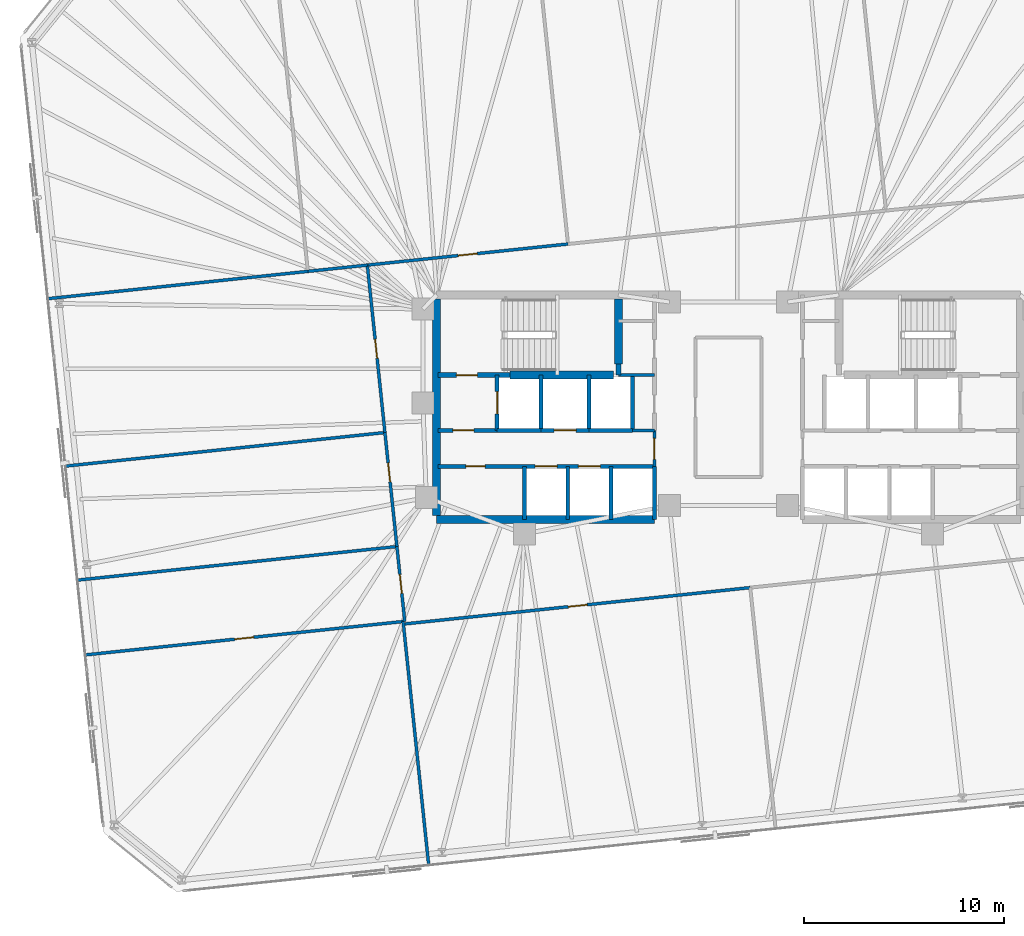
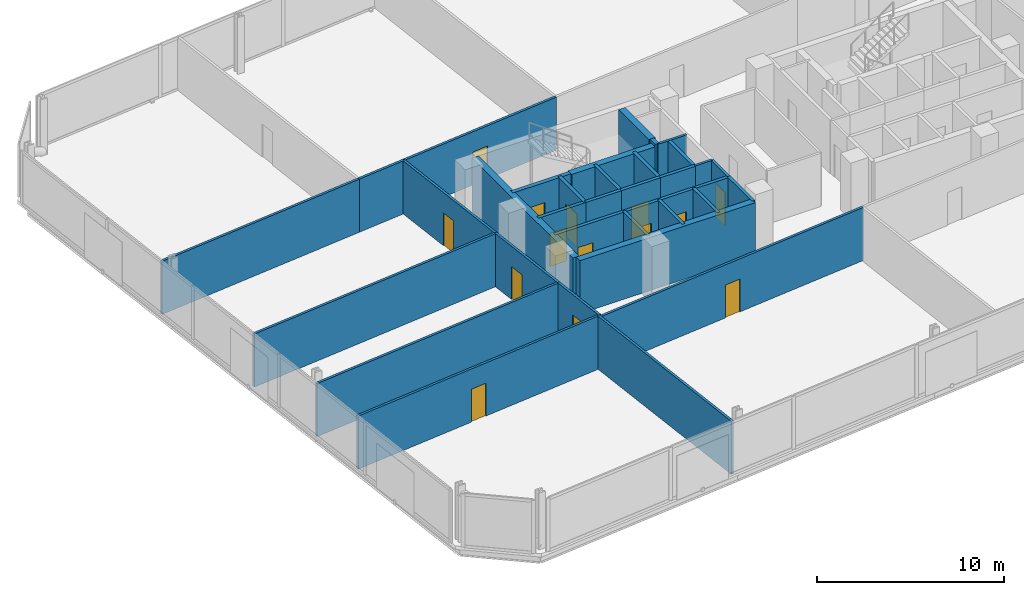
# One storey, part 14 of 18: 33 walls, 14 doors, 14 openings.
"""IFC4 building model written with IfcOpenShell, lengths in metres."""

from ifc_helpers import new_model, si_unit, direction, frame, frame_2d, origin, place, context, subcontext, project, spatial, rectangle, extrude, material, layer, layer_set, type_object, element, fill, save


model = new_model("IFC4")

# Units and contexts
model_context = context("Model", 3, precision=1e-05, world=origin(), true_north=direction((0.0, 1.0)))
body_context = subcontext(model_context, "Body", "Model", "MODEL_VIEW")
ifc_project = project(units=[si_unit("LENGTHUNIT", "METRE"), si_unit("AREAUNIT", "SQUARE_METRE"), si_unit("VOLUMEUNIT", "CUBIC_METRE"), si_unit("PLANEANGLEUNIT", "RADIAN"), si_unit("MASSUNIT", "GRAM", prefix="KILO")], contexts=[model_context])

# Site, building, storey
site_placement = place(None, origin())
site = spatial("IfcSite", under=ifc_project, at=site_placement, CompositionType="ELEMENT")
building_placement = place(site_placement, origin())
building = spatial("IfcBuilding", under=site, at=building_placement, Name="Menara Jurai Vektor", CompositionType="ELEMENT")
storey_placement = place(building_placement, frame((0.0, 0.0, 94.800048828125)))
storey = spatial("IfcBuildingStorey", under=building, at=storey_placement, Name="L23", CompositionType="ELEMENT", Elevation=94.800048828125)

# Wall, opening, door
ifc_material_1 = material(Name="Concrete C40/50", Category="concrete")
ifc_layer_1 = layer(ifc_material_1, 0.25)
ifc_layer_set_1 = layer_set([ifc_layer_1], Name="Concrete C40/50")
wall_type_1 = type_object("IfcWallType", Name="INT-WALL-CORE-250", PredefinedType="STANDARD", material=ifc_layer_set_1)
wall_1_placement = place(storey_placement, frame((-14.5, 1.60009765625, 0.0), z_axis=(0.0, 0.0, 1.0), x_axis=(1.0, 0.0, 0.0)))
wall_1 = element("IfcWall", 1, at=wall_1_placement, inside=storey, type_object=wall_type_1, Name="Interior Wall IW-250 L23", PredefinedType="STANDARD", context=body_context, shape_type="SweptSolid", body=[
    extrude(rectangle(XDim=3.60009765625, YDim=0.25, at=frame_2d((1.800048828125, 0.0))), origin(), (0.0, 0.0, 1.0), 3.474853515625),
])
opening_1_placement = place(wall_1_placement, frame((0.919921875, 0.0, 0.0)))
opening_1 = element("IfcOpeningElement", 2, at=opening_1_placement, cuts=wall_1, Name="Opening D-L23-ST1", PredefinedType="OPENING", context=body_context, shape_type="SweptSolid", body=[
    extrude(rectangle(XDim=1.050048828125, YDim=2.14990234375, at=frame_2d((0.52490234375, 1.074951171875))), frame((0.0, 0.135009765625, 0.0), z_axis=(0.0, -1.0, 0.0), x_axis=(1.0, 0.0, 0.0)), (0.0, 0.0, 1.0), 0.27001953125),
])
ifc_material_2 = material(Name="Fire-Rated Steel Door", Category="steel")
door_type_1 = type_object("IfcDoorType", Name="DR-STAIR-1050", OperationType="NOTDEFINED", PredefinedType="DOOR", material=ifc_material_2)
door_1_placement = place(opening_1_placement, origin())
door_1 = element("IfcDoor", 3, at=door_1_placement, inside=storey, type_object=door_type_1, Name="Exit Stair ST1 Door L23", OperationType="SINGLE_SWING_RIGHT", OverallHeight=2.14990234375, OverallWidth=1.050048828125, PredefinedType="DOOR", context=body_context, shape_type="SweptSolid", body=[
    extrude(rectangle(XDim=1.050048828125, YDim=2.14990234375, at=frame_2d((0.52490234375, 1.074951171875))), frame((0.0, 0.02490234375, 0.0), z_axis=(0.0, -1.0, 0.0), x_axis=(1.0, 0.0, 0.0)), (0.0, 0.0, 1.0), 0.050048828125),
])
fill(opening_1, door_1)

# Wall
wall_2_placement = place(storey_placement, frame((-5.5, 1.60009765625, 0.0), z_axis=(0.0, 0.0, 1.0), x_axis=(0.0, 1.0, 0.0)))
element("IfcWall", 4, at=wall_2_placement, inside=storey, type_object=wall_type_1, Name="Interior Wall IW-250 L23", PredefinedType="STANDARD", context=body_context, shape_type="SweptSolid", body=[
    extrude(rectangle(XDim=0.5498046875, YDim=0.25, at=frame_2d((0.27490234375, 0.0))), origin(), (0.0, 0.0, 1.0), 3.474853515625),
])

# Wall, opening, door
wall_3_placement = place(storey_placement, frame((-11.550048828125, -1.14990234375, 0.0), z_axis=(0.0, 0.0, 1.0), x_axis=(0.0, 1.0, 0.0)))
wall_3 = element("IfcWall", 5, at=wall_3_placement, inside=storey, type_object=wall_type_1, Name="Interior Wall IW-250 L23", PredefinedType="STANDARD", context=body_context, shape_type="SweptSolid", body=[
    extrude(rectangle(XDim=2.75, YDim=0.199951171875, at=frame_2d((1.375, 0.0))), origin(), (0.0, 0.0, 1.0), 3.474853515625),
])
opening_2_placement = place(wall_3_placement, frame((0.824951171875, 0.0, 0.0)))
opening_2 = element("IfcOpeningElement", 6, at=opening_2_placement, cuts=wall_3, Name="Opening LD-L23-FL1", PredefinedType="OPENING", context=body_context, shape_type="SweptSolid", body=[
    extrude(rectangle(XDim=1.10009765625, YDim=2.14990234375, at=frame_2d((0.550048828125, 1.074951171875))), frame((0.0, 0.10986328125, 0.0), z_axis=(0.0, -1.0, 0.0), x_axis=(1.0, 0.0, 0.0)), (0.0, 0.0, 1.0), 0.219970703125),
])
ifc_material_3 = material(Name="Stainless Steel Sliding Lift Landing Door", Category="steel")
door_type_2 = type_object("IfcDoorType", Name="DR-LIFT-FIRE-1100", OperationType="NOTDEFINED", PredefinedType="DOOR", material=ifc_material_3)
door_2_placement = place(opening_2_placement, origin())
door_2 = element("IfcDoor", 7, at=door_2_placement, inside=storey, type_object=door_type_2, Name="Lift Landing Door FL1 L23", OperationType="SLIDING_TO_RIGHT", OverallHeight=2.14990234375, OverallWidth=1.10009765625, PredefinedType="DOOR", context=body_context, shape_type="SweptSolid", body=[
    extrude(rectangle(XDim=1.10009765625, YDim=2.14990234375, at=frame_2d((0.550048828125, 1.074951171875))), frame((0.0, 0.02490234375, 0.0), z_axis=(0.0, -1.0, 0.0), x_axis=(1.0, 0.0, 0.0)), (0.0, 0.0, 1.0), 0.050048828125),
])
fill(opening_2, door_2)

# Wall
wall_4_placement = place(storey_placement, frame((-9.35009765625, -1.14990234375, 0.0), z_axis=(0.0, 0.0, 1.0), x_axis=(0.0, 1.0, 0.0)))
element("IfcWall", 8, at=wall_4_placement, inside=storey, type_object=wall_type_1, Name="Interior Wall IW-250 L23", PredefinedType="STANDARD", context=body_context, shape_type="SweptSolid", body=[
    extrude(rectangle(XDim=2.75, YDim=0.199951171875, at=frame_2d((1.375, 0.0))), origin(), (0.0, 0.0, 1.0), 3.474853515625),
])

# Wall, opening, door
wall_5_placement = place(storey_placement, frame((-14.5, -1.14990234375, 0.0), z_axis=(0.0, 0.0, 1.0), x_axis=(1.0, 0.0, 0.0)))
wall_5 = element("IfcWall", 9, at=wall_5_placement, inside=storey, type_object=wall_type_1, Name="Interior Wall IW-250 L23", PredefinedType="STANDARD", context=body_context, shape_type="SweptSolid", body=[
    extrude(rectangle(XDim=2.949951171875, YDim=0.199951171875, at=frame_2d((1.47509765625, 0.0))), origin(), (0.0, 0.0, 1.0), 3.474853515625),
])
opening_3_placement = place(wall_5_placement, frame((0.75, 0.0, 0.0)))
opening_3 = element("IfcOpeningElement", 10, at=opening_3_placement, cuts=wall_5, Name="Opening D-L23-FFW", PredefinedType="OPENING", context=body_context, shape_type="SweptSolid", body=[
    extrude(rectangle(XDim=1.050048828125, YDim=2.179931640625, at=frame_2d((0.52490234375, 1.08984375))), frame((0.0, 0.10986328125, 0.0), z_axis=(0.0, -1.0, 0.0), x_axis=(1.0, 0.0, 0.0)), (0.0, 0.0, 1.0), 0.219970703125),
])
ifc_material_4 = material(Name="Fire-Rated Timber Door", Category="wood")
door_type_3 = type_object("IfcDoorType", Name="DR-LOBBY-1050", OperationType="NOTDEFINED", PredefinedType="DOOR", material=ifc_material_4)
door_3_placement = place(opening_3_placement, origin())
door_3 = element("IfcDoor", 11, at=door_3_placement, inside=storey, type_object=door_type_3, Name="Fire Lift Lobby Door W L23", OperationType="SINGLE_SWING_RIGHT", OverallHeight=2.179931640625, OverallWidth=1.050048828125, PredefinedType="DOOR", context=body_context, shape_type="SweptSolid", body=[
    extrude(rectangle(XDim=1.050048828125, YDim=2.179931640625, at=frame_2d((0.52490234375, 1.08984375))), frame((0.0, 0.02490234375, 0.0), z_axis=(0.0, -1.0, 0.0), x_axis=(1.0, 0.0, 0.0)), (0.0, 0.0, 1.0), 0.050048828125),
])
fill(opening_3, door_3)

# Wall
wall_6_placement = place(storey_placement, frame((-11.550048828125, -1.14990234375, 0.0), z_axis=(0.0, 0.0, 1.0), x_axis=(1.0, 0.0, 0.0)))
element("IfcWall", 12, at=wall_6_placement, inside=storey, type_object=wall_type_1, Name="Interior Wall IW-250 L23", PredefinedType="STANDARD", context=body_context, shape_type="SweptSolid", body=[
    extrude(rectangle(XDim=2.199951171875, YDim=0.199951171875, at=frame_2d((1.10009765625, 0.0))), origin(), (0.0, 0.0, 1.0), 3.474853515625),
])

# Wall, opening, door
ifc_material_5 = material(Name="Gypsum Fireboard Partition", Category="gypsum")
ifc_layer_2 = layer(ifc_material_5, 0.14990234375)
ifc_layer_set_2 = layer_set([ifc_layer_2], Name="Gypsum Fireboard Partition")
wall_type_2 = type_object("IfcWallType", Name="INT-WALL-CORR-150", PredefinedType="PARTITIONING", material=ifc_layer_set_2)
wall_7_placement = place(storey_placement, frame((-3.699951171875, -2.949951171875, 0.0), z_axis=(0.0, 0.0, 1.0), x_axis=(0.0, 1.0, 0.0)))
wall_7 = element("IfcWall", 13, at=wall_7_placement, inside=storey, type_object=wall_type_2, Name="Interior Wall IW-150 L23", PredefinedType="PARTITIONING", context=body_context, shape_type="SweptSolid", body=[
    extrude(rectangle(XDim=1.800048828125, YDim=0.14990234375, at=frame_2d((0.89990234375, 0.0))), origin(), (0.0, 0.0, 1.0), 3.474853515625),
])
opening_4_placement = place(wall_7_placement, frame((0.35009765625, 0.0, 0.0)))
opening_4 = element("IfcOpeningElement", 14, at=opening_4_placement, cuts=wall_7, Name="Opening D-L23-LLW", PredefinedType="OPENING", context=body_context, shape_type="SweptSolid", body=[
    extrude(rectangle(XDim=1.050048828125, YDim=2.179931640625, at=frame_2d((0.52490234375, 1.08984375))), frame((0.0, 0.0849609375, 0.0), z_axis=(0.0, -1.0, 0.0), x_axis=(1.0, 0.0, 0.0)), (0.0, 0.0, 1.0), 0.169921875),
])
door_4_placement = place(opening_4_placement, origin())
door_4 = element("IfcDoor", 15, at=door_4_placement, inside=storey, type_object=door_type_3, Name="Lift Lobby Corridor Door W L23", OperationType="SINGLE_SWING_LEFT", OverallHeight=2.179931640625, OverallWidth=1.050048828125, PredefinedType="DOOR", context=body_context, shape_type="SweptSolid", body=[
    extrude(rectangle(XDim=1.050048828125, YDim=2.179931640625, at=frame_2d((0.52490234375, 1.08984375))), frame((0.0, 0.02490234375, 0.0), z_axis=(0.0, -1.0, 0.0), x_axis=(1.0, 0.0, 0.0)), (0.0, 0.0, 1.0), 0.050048828125),
])
fill(opening_4, door_4)

# Walls
wall_8_placement = place(storey_placement, frame((-4.7900390625, -1.14990234375, 0.0), z_axis=(0.0, 0.0, 1.0), x_axis=(1.0, 0.0, 0.0)))
element("IfcWall", 16, at=wall_8_placement, inside=storey, type_object=wall_type_2, Name="Interior Wall IW-150 L23", PredefinedType="PARTITIONING", context=body_context, shape_type="SweptSolid", body=[
    extrude(rectangle(XDim=1.090087890625, YDim=0.14990234375, at=frame_2d((0.544921875, 0.0))), origin(), (0.0, 0.0, 1.0), 3.474853515625),
])
wall_9_placement = place(storey_placement, frame((-5.5, 1.60009765625, 0.0), z_axis=(0.0, 0.0, 1.0), x_axis=(1.0, 0.0, 0.0)))
element("IfcWall", 17, at=wall_9_placement, inside=storey, type_object=wall_type_2, Name="Interior Wall IW-150 L23", PredefinedType="PARTITIONING", context=body_context, shape_type="SweptSolid", body=[
    extrude(rectangle(XDim=1.800048828125, YDim=0.14990234375, at=frame_2d((0.89990234375, 0.0))), origin(), (0.0, 0.0, 1.0), 3.474853515625),
])

# Wall, opening, door
wall_10_placement = place(storey_placement, frame((-18.021240234375, 7.09033203125, 0.0), z_axis=(0.0, 0.0, 1.0), x_axis=(0.994522183983, 0.104525717249, 0.0)))
wall_10 = element("IfcWall", 18, at=wall_10_placement, inside=storey, type_object=wall_type_2, Name="Interior Wall IW-150 L23", PredefinedType="PARTITIONING", context=body_context, shape_type="SweptSolid", body=[
    extrude(rectangle(XDim=10.06689453125, YDim=0.14990234375, at=frame_2d((5.033447265625, 0.0))), origin(), (0.0, 0.0, 1.0), 3.474853515625),
])
opening_5_placement = place(wall_10_placement, frame((4.55859375, 0.0, 0.0)))
opening_5 = element("IfcOpeningElement", 19, at=opening_5_placement, cuts=wall_10, Name="Opening D23-07", PredefinedType="OPENING", context=body_context, shape_type="SweptSolid", body=[
    extrude(rectangle(XDim=0.949951171875, YDim=2.14990234375, at=frame_2d((0.47509765625, 1.074951171875))), frame((0.0, 0.0849609375, 0.0), z_axis=(0.0, -1.0, 0.0), x_axis=(1.0, 0.0, 0.0)), (0.0, 0.0, 1.0), 0.169921875),
])
ifc_material_6 = material(Name="Solid Core Timber Fire Door", Category="wood")
door_type_4 = type_object("IfcDoorType", Name="DR-ENTRY-950", OperationType="NOTDEFINED", PredefinedType="DOOR", material=ifc_material_6)
door_5_placement = place(opening_5_placement, origin())
door_5 = element("IfcDoor", 20, at=door_5_placement, inside=storey, type_object=door_type_4, Name="Interior Door D23-07", OperationType="SINGLE_SWING_RIGHT", OverallHeight=2.14990234375, OverallWidth=0.949951171875, PredefinedType="DOOR", context=body_context, shape_type="SweptSolid", body=[
    extrude(rectangle(XDim=0.949951171875, YDim=2.14990234375, at=frame_2d((0.47509765625, 1.074951171875))), frame((0.0, 0.02490234375, 0.0), z_axis=(0.0, -1.0, 0.0), x_axis=(1.0, 0.0, 0.0)), (0.0, 0.0, 1.0), 0.050048828125),
])
fill(opening_5, door_5)

wall_11_placement = place(storey_placement, frame((-16.139892578125, -10.80908203125, 0.0), z_axis=(0.0, 0.0, 1.0), x_axis=(0.994522126729, 0.104526261998, 0.0)))
wall_11 = element("IfcWall", 21, at=wall_11_placement, inside=storey, type_object=wall_type_2, Name="Interior Wall IW-150 L23", PredefinedType="PARTITIONING", context=body_context, shape_type="SweptSolid", body=[
    extrude(rectangle(XDim=17.31689453125, YDim=0.14990234375, at=frame_2d((8.658447265625, 0.0))), origin(), (0.0, 0.0, 1.0), 3.474853515625),
])
opening_6_placement = place(wall_11_placement, frame((8.18359375, 0.0, 0.0)))
opening_6 = element("IfcOpeningElement", 22, at=opening_6_placement, cuts=wall_11, Name="Opening D23-10", PredefinedType="OPENING", context=body_context, shape_type="SweptSolid", body=[
    extrude(rectangle(XDim=0.949951171875, YDim=2.14990234375, at=frame_2d((0.47509765625, 1.074951171875))), frame((0.0, 0.0849609375, 0.0), z_axis=(0.0, -1.0, 0.0), x_axis=(1.0, 0.0, 0.0)), (0.0, 0.0, 1.0), 0.169921875),
])
door_6_placement = place(opening_6_placement, origin())
door_6 = element("IfcDoor", 23, at=door_6_placement, inside=storey, type_object=door_type_4, Name="Interior Door D23-10", OperationType="SINGLE_SWING_LEFT", OverallHeight=2.14990234375, OverallWidth=0.949951171875, PredefinedType="DOOR", context=body_context, shape_type="SweptSolid", body=[
    extrude(rectangle(XDim=0.949951171875, YDim=2.14990234375, at=frame_2d((0.47509765625, 1.074951171875))), frame((0.0, 0.02490234375, 0.0), z_axis=(0.0, -1.0, 0.0), x_axis=(1.0, 0.0, 0.0)), (0.0, 0.0, 1.0), 0.050048828125),
])
fill(opening_6, door_6)

wall_12_placement = place(storey_placement, frame((-16.1533203125, -10.681884765625, 0.0), z_axis=(0.0, 0.0, 1.0), x_axis=(-0.104539173002, 0.994520769671, 0.0)))
wall_12 = element("IfcWall", 24, at=wall_12_placement, inside=storey, type_object=wall_type_2, Name="Interior Wall IW-150 L23", PredefinedType="PARTITIONING", context=body_context, shape_type="SweptSolid", body=[
    extrude(rectangle(XDim=3.7529296875, YDim=0.14990234375, at=frame_2d((1.87646484375, 0.0))), origin(), (0.0, 0.0, 1.0), 3.474853515625),
])
opening_7_placement = place(wall_12_placement, frame((1.401611328125, 0.0, 0.0)))
opening_7 = element("IfcOpeningElement", 25, at=opening_7_placement, cuts=wall_12, Name="Opening D23-12", PredefinedType="OPENING", context=body_context, shape_type="SweptSolid", body=[
    extrude(rectangle(XDim=0.949951171875, YDim=2.14990234375, at=frame_2d((0.47509765625, 1.074951171875))), frame((0.0, 0.0849609375, 0.0), z_axis=(0.0, -1.0, 0.0), x_axis=(1.0, 0.0, 0.0)), (0.0, 0.0, 1.0), 0.169921875),
])
door_7_placement = place(opening_7_placement, origin())
door_7 = element("IfcDoor", 26, at=door_7_placement, inside=storey, type_object=door_type_4, Name="Interior Door D23-12", OperationType="SINGLE_SWING_LEFT", OverallHeight=2.14990234375, OverallWidth=0.949951171875, PredefinedType="DOOR", context=body_context, shape_type="SweptSolid", body=[
    extrude(rectangle(XDim=0.949951171875, YDim=2.14990234375, at=frame_2d((0.47509765625, 1.074951171875))), frame((0.0, 0.02490234375, 0.0), z_axis=(0.0, -1.0, 0.0), x_axis=(1.0, 0.0, 0.0)), (0.0, 0.0, 1.0), 0.050048828125),
])
fill(opening_7, door_7)

wall_13_placement = place(storey_placement, frame((-16.545654296875, -6.949462890625, 0.0), z_axis=(0.0, 0.0, 1.0), x_axis=(-0.104520314957, 0.994522751756, 0.0)))
wall_13 = element("IfcWall", 27, at=wall_13_placement, inside=storey, type_object=wall_type_2, Name="Interior Wall IW-150 L23", PredefinedType="PARTITIONING", context=body_context, shape_type="SweptSolid", body=[
    extrude(rectangle(XDim=5.718017578125, YDim=0.14990234375, at=frame_2d((2.85888671875, 0.0))), origin(), (0.0, 0.0, 1.0), 3.474853515625),
])
opening_8_placement = place(wall_13_placement, frame((3.24169921875, 0.0, 0.0)))
opening_8 = element("IfcOpeningElement", 28, at=opening_8_placement, cuts=wall_13, Name="Opening D23-13", PredefinedType="OPENING", context=body_context, shape_type="SweptSolid", body=[
    extrude(rectangle(XDim=0.949951171875, YDim=2.14990234375, at=frame_2d((0.47509765625, 1.074951171875))), frame((0.0, 0.0849609375, 0.0), z_axis=(0.0, -1.0, 0.0), x_axis=(1.0, 0.0, 0.0)), (0.0, 0.0, 1.0), 0.169921875),
])
door_8_placement = place(opening_8_placement, origin())
door_8 = element("IfcDoor", 29, at=door_8_placement, inside=storey, type_object=door_type_4, Name="Interior Door D23-13", OperationType="SINGLE_SWING_RIGHT", OverallHeight=2.14990234375, OverallWidth=0.949951171875, PredefinedType="DOOR", context=body_context, shape_type="SweptSolid", body=[
    extrude(rectangle(XDim=0.949951171875, YDim=2.14990234375, at=frame_2d((0.47509765625, 1.074951171875))), frame((0.0, 0.02490234375, 0.0), z_axis=(0.0, -1.0, 0.0), x_axis=(1.0, 0.0, 0.0)), (0.0, 0.0, 1.0), 0.050048828125),
])
fill(opening_8, door_8)

wall_14_placement = place(storey_placement, frame((-17.143310546875, -1.2626953125, 0.0), z_axis=(0.0, 0.0, 1.0), x_axis=(-0.104527419485, 0.994522005074, 0.0)))
wall_14 = element("IfcWall", 30, at=wall_14_placement, inside=storey, type_object=wall_type_2, Name="Interior Wall IW-150 L23", PredefinedType="PARTITIONING", context=body_context, shape_type="SweptSolid", body=[
    extrude(rectangle(XDim=8.39892578125, YDim=0.14990234375, at=frame_2d((4.199462890625, 0.0))), origin(), (0.0, 0.0, 1.0), 3.474853515625),
])
opening_9_placement = place(wall_14_placement, frame((3.724609375, 0.0, 0.0)))
opening_9 = element("IfcOpeningElement", 31, at=opening_9_placement, cuts=wall_14, Name="Opening D23-14", PredefinedType="OPENING", context=body_context, shape_type="SweptSolid", body=[
    extrude(rectangle(XDim=0.949951171875, YDim=2.14990234375, at=frame_2d((0.47509765625, 1.074951171875))), frame((0.0, 0.0849609375, 0.0), z_axis=(0.0, -1.0, 0.0), x_axis=(1.0, 0.0, 0.0)), (0.0, 0.0, 1.0), 0.169921875),
])
door_9_placement = place(opening_9_placement, origin())
door_9 = element("IfcDoor", 32, at=door_9_placement, inside=storey, type_object=door_type_4, Name="Interior Door D23-14", OperationType="SINGLE_SWING_LEFT", OverallHeight=2.14990234375, OverallWidth=0.949951171875, PredefinedType="DOOR", context=body_context, shape_type="SweptSolid", body=[
    extrude(rectangle(XDim=0.949951171875, YDim=2.14990234375, at=frame_2d((0.47509765625, 1.074951171875))), frame((0.0, 0.02490234375, 0.0), z_axis=(0.0, -1.0, 0.0), x_axis=(1.0, 0.0, 0.0)), (0.0, 0.0, 1.0), 0.050048828125),
])
fill(opening_9, door_9)

# Walls
wall_15_placement = place(storey_placement, frame((-33.966552734375, 5.414306640625, 0.0), z_axis=(0.0, 0.0, 1.0), x_axis=(0.994520613947, 0.104540654453, 0.0)))
element("IfcWall", 33, at=wall_15_placement, inside=storey, type_object=wall_type_2, Name="Interior Wall IW-150 L23", PredefinedType="PARTITIONING", context=body_context, shape_type="SweptSolid", body=[
    extrude(rectangle(XDim=13.050048828125, YDim=0.14990234375, at=frame_2d((6.52490234375, 0.0))), origin(), (0.0, 0.0, 1.0), 3.474853515625),
])
wall_16_placement = place(storey_placement, frame((-20.988037109375, 6.778564453125, 0.0), z_axis=(0.0, 0.0, 1.0), x_axis=(0.994523823632, 0.104510115436, 0.0)))
element("IfcWall", 34, at=wall_16_placement, inside=storey, type_object=wall_type_2, Name="Interior Wall IW-150 L23", PredefinedType="PARTITIONING", context=body_context, shape_type="SweptSolid", body=[
    extrude(rectangle(XDim=2.983154296875, YDim=0.14990234375, at=frame_2d((1.49169921875, 0.0))), origin(), (0.0, 0.0, 1.0), 3.474853515625),
])
wall_17_placement = place(storey_placement, frame((-14.95849609375, -22.844482421875, 0.0), z_axis=(0.0, 0.0, 1.0), x_axis=(-0.104540236679, 0.994520657862, 0.0)))
element("IfcWall", 35, at=wall_17_placement, inside=storey, type_object=wall_type_2, Name="Interior Wall IW-150 L23", PredefinedType="PARTITIONING", context=body_context, shape_type="SweptSolid", body=[
    extrude(rectangle(XDim=12.220947265625, YDim=0.14990234375, at=frame_2d((6.1103515625, 0.0))), origin(), (0.0, 0.0, 1.0), 3.474853515625),
])

# Wall, opening, door
wall_18_placement = place(storey_placement, frame((-32.0986328125, -12.357666015625, 0.0), z_axis=(0.0, 0.0, 1.0), x_axis=(0.994521795881, 0.104529409818, 0.0)))
wall_18 = element("IfcWall", 36, at=wall_18_placement, inside=storey, type_object=wall_type_2, Name="Interior Wall IW-150 L23", PredefinedType="PARTITIONING", context=body_context, shape_type="SweptSolid", body=[
    extrude(rectangle(XDim=15.949951171875, YDim=0.14990234375, at=frame_2d((7.97509765625, 0.0))), origin(), (0.0, 0.0, 1.0), 3.474853515625),
])
opening_10_placement = place(wall_18_placement, frame((7.5, 0.0, 0.0)))
opening_10 = element("IfcOpeningElement", 37, at=opening_10_placement, cuts=wall_18, Name="Opening D23-19", PredefinedType="OPENING", context=body_context, shape_type="SweptSolid", body=[
    extrude(rectangle(XDim=0.949951171875, YDim=2.14990234375, at=frame_2d((0.47509765625, 1.074951171875))), frame((0.0, 0.0849609375, 0.0), z_axis=(0.0, -1.0, 0.0), x_axis=(1.0, 0.0, 0.0)), (0.0, 0.0, 1.0), 0.169921875),
])
door_10_placement = place(opening_10_placement, origin())
door_10 = element("IfcDoor", 38, at=door_10_placement, inside=storey, type_object=door_type_4, Name="Interior Door D23-19", OperationType="SINGLE_SWING_RIGHT", OverallHeight=2.14990234375, OverallWidth=0.949951171875, PredefinedType="DOOR", context=body_context, shape_type="SweptSolid", body=[
    extrude(rectangle(XDim=0.949951171875, YDim=2.14990234375, at=frame_2d((0.47509765625, 1.074951171875))), frame((0.0, 0.02490234375, 0.0), z_axis=(0.0, -1.0, 0.0), x_axis=(1.0, 0.0, 0.0)), (0.0, 0.0, 1.0), 0.050048828125),
])
fill(opening_10, door_10)

# Walls
for number, where, z_axis, x_axis, name in (
    (39, (-32.490966796875, -8.625244140625, 0.0), (0.0, 0.0, 1.0), (0.994522794159, 0.104519911488, 0.0), "Interior Wall IW-150 L23"),
    (40, (-33.088623046875, -2.938720703125, 0.0), (0.0, 0.0, 1.0), (0.994521211213, 0.104534972363, 0.0), "Interior Wall IW-150 L23"),
):
    element("IfcWall", number, at=place(storey_placement, frame(where, z_axis=z_axis, x_axis=x_axis)), inside=storey, type_object=wall_type_2, Name=name, PredefinedType="PARTITIONING", context=body_context, shape_type="SweptSolid", body=[
        extrude(rectangle(XDim=16.033203125, YDim=0.14990234375, at=frame_2d((8.0166015625, 0.0))), origin(), (0.0, 0.0, 1.0), 3.474853515625),
    ])
ifc_layer_3 = layer(ifc_material_1, 0.199951171875)
ifc_layer_set_3 = layer_set([ifc_layer_3], Name="Concrete C40/50")
wall_type_3 = type_object("IfcWallType", Name="INT-WALL-SHAFT-200", PredefinedType="STANDARD", material=ifc_layer_set_3)
wall_19_placement = place(storey_placement, frame((-3.699951171875, -5.60009765625, 0.0), z_axis=(0.0, 0.0, 1.0), x_axis=(0.0, 1.0, 0.0)))
element("IfcWall", 41, at=wall_19_placement, inside=storey, type_object=wall_type_3, Name="Interior Wall IW-200 L23", PredefinedType="STANDARD", context=body_context, shape_type="SweptSolid", body=[
    extrude(rectangle(XDim=2.650146484375, YDim=0.199951171875, at=frame_2d((1.3251953125, 0.0))), origin(), (0.0, 0.0, 1.0), 3.474853515625),
])
wall_20_placement = place(storey_placement, frame((-6.949951171875, -1.14990234375, 0.0), z_axis=(0.0, 0.0, 1.0), x_axis=(0.0, 1.0, 0.0)))
element("IfcWall", 42, at=wall_20_placement, inside=storey, type_object=wall_type_3, Name="Interior Wall IW-200 L23", PredefinedType="STANDARD", context=body_context, shape_type="SweptSolid", body=[
    extrude(rectangle(XDim=2.75, YDim=0.199951171875, at=frame_2d((1.375, 0.0))), origin(), (0.0, 0.0, 1.0), 3.474853515625),
])

# Wall, opening, door
wall_21_placement = place(storey_placement, frame((-9.35009765625, -1.14990234375, 0.0), z_axis=(0.0, 0.0, 1.0), x_axis=(1.0, 0.0, 0.0)))
wall_21 = element("IfcWall", 43, at=wall_21_placement, inside=storey, type_object=wall_type_3, Name="Interior Wall IW-200 L23", PredefinedType="STANDARD", context=body_context, shape_type="SweptSolid", body=[
    extrude(rectangle(XDim=2.400146484375, YDim=0.199951171875, at=frame_2d((1.2001953125, 0.0))), origin(), (0.0, 0.0, 1.0), 3.474853515625),
])
opening_11_placement = place(wall_21_placement, frame((0.64990234375, 0.0, 0.0)))
opening_11 = element("IfcOpeningElement", 44, at=opening_11_placement, cuts=wall_21, Name="Opening LD-L23-SVL1", PredefinedType="OPENING", context=body_context, shape_type="SweptSolid", body=[
    extrude(rectangle(XDim=1.10009765625, YDim=2.14990234375, at=frame_2d((0.550048828125, 1.074951171875))), frame((0.0, 0.10986328125, 0.0), z_axis=(0.0, -1.0, 0.0), x_axis=(1.0, 0.0, 0.0)), (0.0, 0.0, 1.0), 0.219970703125),
])
ifc_material_7 = material(Name="Anodised Stainless Sliding Lift Landing Door", Category="steel")
door_type_5 = type_object("IfcDoorType", Name="DR-LIFT-PASS-1100", OperationType="NOTDEFINED", PredefinedType="DOOR", material=ifc_material_7)
door_11_placement = place(opening_11_placement, origin())
door_11 = element("IfcDoor", 45, at=door_11_placement, inside=storey, type_object=door_type_5, Name="Lift Landing Door SVL1 L23", OperationType="SLIDING_TO_RIGHT", OverallHeight=2.14990234375, OverallWidth=1.10009765625, PredefinedType="DOOR", context=body_context, shape_type="SweptSolid", body=[
    extrude(rectangle(XDim=1.10009765625, YDim=2.14990234375, at=frame_2d((0.550048828125, 1.074951171875))), frame((0.0, 0.02490234375, 0.0), z_axis=(0.0, -1.0, 0.0), x_axis=(1.0, 0.0, 0.0)), (0.0, 0.0, 1.0), 0.050048828125),
])
fill(opening_11, door_11)

# Walls
wall_22_placement = place(storey_placement, frame((-4.7900390625, -1.14990234375, 0.0), z_axis=(0.0, 0.0, 1.0), x_axis=(0.0, 1.0, 0.0)))
element("IfcWall", 46, at=wall_22_placement, inside=storey, type_object=wall_type_3, Name="Interior Wall IW-200 L23", PredefinedType="STANDARD", context=body_context, shape_type="SweptSolid", body=[
    extrude(rectangle(XDim=2.75, YDim=0.199951171875, at=frame_2d((1.375, 0.0))), origin(), (0.0, 0.0, 1.0), 3.474853515625),
])
wall_23_placement = place(storey_placement, frame((-6.949951171875, -1.14990234375, 0.0), z_axis=(0.0, 0.0, 1.0), x_axis=(1.0, 0.0, 0.0)))
element("IfcWall", 47, at=wall_23_placement, inside=storey, type_object=wall_type_3, Name="Interior Wall IW-200 L23", PredefinedType="STANDARD", context=body_context, shape_type="SweptSolid", body=[
    extrude(rectangle(XDim=2.159912109375, YDim=0.199951171875, at=frame_2d((1.080078125, 0.0))), origin(), (0.0, 0.0, 1.0), 3.474853515625),
])

# Wall, openings, doors
wall_24_placement = place(storey_placement, frame((-14.5, -2.949951171875, 0.0), z_axis=(0.0, 0.0, 1.0), x_axis=(1.0, 0.0, 0.0)))
wall_24 = element("IfcWall", 48, at=wall_24_placement, inside=storey, type_object=wall_type_3, Name="Interior Wall IW-200 L23", PredefinedType="STANDARD", context=body_context, shape_type="SweptSolid", body=[
    extrude(rectangle(XDim=10.800048828125, YDim=0.199951171875, at=frame_2d((5.39990234375, 0.0))), origin(), (0.0, 0.0, 1.0), 3.474853515625),
])
opening_12_placement = place(wall_24_placement, frame((4.85009765625, 0.0, 0.0)))
opening_12 = element("IfcOpeningElement", 49, at=opening_12_placement, cuts=wall_24, Name="Opening LD-L23-PM1", PredefinedType="OPENING", context=body_context, shape_type="SweptSolid", body=[
    extrude(rectangle(XDim=1.10009765625, YDim=2.14990234375, at=frame_2d((0.550048828125, 1.074951171875))), frame((0.0, 0.10986328125, 0.0), z_axis=(0.0, -1.0, 0.0), x_axis=(1.0, 0.0, 0.0)), (0.0, 0.0, 1.0), 0.219970703125),
])
opening_13_placement = place(wall_24_placement, frame((7.010009765625, 0.0, 0.0)))
opening_13 = element("IfcOpeningElement", 50, at=opening_13_placement, cuts=wall_24, Name="Opening LD-L23-PM2", PredefinedType="OPENING", context=body_context, shape_type="SweptSolid", body=[
    extrude(rectangle(XDim=1.10009765625, YDim=2.14990234375, at=frame_2d((0.550048828125, 1.074951171875))), frame((0.0, 0.10986328125, 0.0), z_axis=(0.0, -1.0, 0.0), x_axis=(1.0, 0.0, 0.0)), (0.0, 0.0, 1.0), 0.219970703125),
])
opening_14_placement = place(wall_24_placement, frame((1.39990234375, 0.0, 0.0)))
opening_14 = element("IfcOpeningElement", 51, at=opening_14_placement, cuts=wall_24, Name="Opening D23-01", PredefinedType="OPENING", context=body_context, shape_type="SweptSolid", body=[
    extrude(rectangle(XDim=0.949951171875, YDim=2.14990234375, at=frame_2d((0.47509765625, 1.074951171875))), frame((0.0, 0.10986328125, 0.0), z_axis=(0.0, -1.0, 0.0), x_axis=(1.0, 0.0, 0.0)), (0.0, 0.0, 1.0), 0.219970703125),
])
door_12_placement = place(opening_14_placement, origin())
door_12 = element("IfcDoor", 52, at=door_12_placement, inside=storey, type_object=door_type_4, Name="Interior Door D23-01", OperationType="SINGLE_SWING_LEFT", OverallHeight=2.14990234375, OverallWidth=0.949951171875, PredefinedType="DOOR", context=body_context, shape_type="SweptSolid", body=[
    extrude(rectangle(XDim=0.949951171875, YDim=2.14990234375, at=frame_2d((0.47509765625, 1.074951171875))), frame((0.0, 0.02490234375, 0.0), z_axis=(0.0, -1.0, 0.0), x_axis=(1.0, 0.0, 0.0)), (0.0, 0.0, 1.0), 0.050048828125),
])
fill(opening_14, door_12)
door_13_placement = place(opening_12_placement, origin())
door_13 = element("IfcDoor", 53, at=door_13_placement, inside=storey, type_object=door_type_5, Name="Lift Landing Door PM1 L23", OperationType="SLIDING_TO_LEFT", OverallHeight=2.14990234375, OverallWidth=1.10009765625, PredefinedType="DOOR", context=body_context, shape_type="SweptSolid", body=[
    extrude(rectangle(XDim=1.10009765625, YDim=2.14990234375, at=frame_2d((0.550048828125, 1.074951171875))), frame((0.0, 0.02490234375, 0.0), z_axis=(0.0, -1.0, 0.0), x_axis=(1.0, 0.0, 0.0)), (0.0, 0.0, 1.0), 0.050048828125),
])
fill(opening_12, door_13)
door_14_placement = place(opening_13_placement, origin())
door_14 = element("IfcDoor", 54, at=door_14_placement, inside=storey, type_object=door_type_5, Name="Lift Landing Door PM2 L23", OperationType="SLIDING_TO_LEFT", OverallHeight=2.14990234375, OverallWidth=1.10009765625, PredefinedType="DOOR", context=body_context, shape_type="SweptSolid", body=[
    extrude(rectangle(XDim=1.10009765625, YDim=2.14990234375, at=frame_2d((0.550048828125, 1.074951171875))), frame((0.0, 0.02490234375, 0.0), z_axis=(0.0, -1.0, 0.0), x_axis=(1.0, 0.0, 0.0)), (0.0, 0.0, 1.0), 0.050048828125),
])
fill(opening_13, door_14)

# Walls
wall_25_placement = place(storey_placement, frame((-5.860107421875, -5.60009765625, 0.0), z_axis=(0.0, 0.0, 1.0), x_axis=(0.0, 1.0, 0.0)))
element("IfcWall", 55, at=wall_25_placement, inside=storey, type_object=wall_type_3, Name="Interior Wall IW-200 L23", PredefinedType="STANDARD", context=body_context, shape_type="SweptSolid", body=[
    extrude(rectangle(XDim=2.650146484375, YDim=0.199951171875, at=frame_2d((1.3251953125, 0.0))), origin(), (0.0, 0.0, 1.0), 3.474853515625),
])
for number, where, z_axis, x_axis, name in (
    (56, (-10.179931640625, -5.60009765625, 0.0), (0.0, 0.0, 1.0), (0.0, 1.0, 0.0), "Interior Wall IW-200 L23"),
    (57, (-8.02001953125, -5.60009765625, 0.0), (0.0, 0.0, 1.0), (0.0, 1.0, 0.0), "Interior Wall IW-200 L23"),
):
    element("IfcWall", number, at=place(storey_placement, frame(where, z_axis=z_axis, x_axis=x_axis)), inside=storey, type_object=wall_type_3, Name=name, PredefinedType="STANDARD", context=body_context, shape_type="SweptSolid", body=[
        extrude(rectangle(XDim=2.650146484375, YDim=0.179931640625, at=frame_2d((1.3251953125, 0.0))), origin(), (0.0, 0.0, 1.0), 3.474853515625),
    ])
ifc_material_8 = material(Name="Concrete C50/60", Category="concrete")
ifc_layer_4 = layer(ifc_material_8, 0.39990234375)
ifc_layer_set_4 = layer_set([ifc_layer_4], Name="Concrete C50/60")
wall_type_4 = type_object("IfcWallType", Name="STR-WALL-CORE400", PredefinedType="SHEAR", material=ifc_layer_set_4)
wall_26_placement = place(storey_placement, frame((-14.56005859375, -5.60009765625, 0.0), z_axis=(0.0, 0.0, 1.0), x_axis=(1.0, 0.0, 0.0)))
element("IfcWall", 58, at=wall_26_placement, inside=storey, type_object=wall_type_4, Name="Core Shear Wall CW-W-S L23", PredefinedType="SHEAR", context=body_context, shape_type="SweptSolid", body=[
    extrude(rectangle(XDim=10.860107421875, YDim=0.39990234375, at=frame_2d((5.43017578125, 0.0))), origin(), (0.0, 0.0, 1.0), 3.474853515625),
])
wall_27_placement = place(storey_placement, frame((-14.56005859375, -5.39990234375, 0.0), z_axis=(0.0, 0.0, 1.0), x_axis=(0.0, 1.0, 0.0)))
element("IfcWall", 59, at=wall_27_placement, inside=storey, type_object=wall_type_4, Name="Core Shear Wall CW-W-W L23", PredefinedType="SHEAR", context=body_context, shape_type="SweptSolid", body=[
    extrude(rectangle(XDim=10.7998046875, YDim=0.39990234375, at=frame_2d((5.39990234375, 0.0))), origin(), (0.0, 0.0, 1.0), 3.474853515625),
])
wall_28_placement = place(storey_placement, frame((-5.5, 2.14990234375, 0.0), z_axis=(0.0, 0.0, 1.0), x_axis=(0.0, 1.0, 0.0)))
element("IfcWall", 60, at=wall_28_placement, inside=storey, type_object=wall_type_4, Name="Core Shear Wall CW-W-ST L23", PredefinedType="SHEAR", context=body_context, shape_type="SweptSolid", body=[
    extrude(rectangle(XDim=3.25, YDim=0.39990234375, at=frame_2d((1.625, 0.0))), origin(), (0.0, 0.0, 1.0), 3.474853515625),
])
wall_29_placement = place(storey_placement, frame((-10.89990234375, 1.60009765625, 0.0), z_axis=(0.0, 0.0, 1.0), x_axis=(1.0, 0.0, 0.0)))
element("IfcWall", 61, at=wall_29_placement, inside=storey, type_object=wall_type_4, Name="Core Shear Wall CW-W-STS L23", PredefinedType="SHEAR", context=body_context, shape_type="SweptSolid", body=[
    extrude(rectangle(XDim=5.14990234375, YDim=0.39990234375, at=frame_2d((2.574951171875, 0.0))), origin(), (0.0, 0.0, 1.0), 3.474853515625),
])

save(model, "model.ifc")
